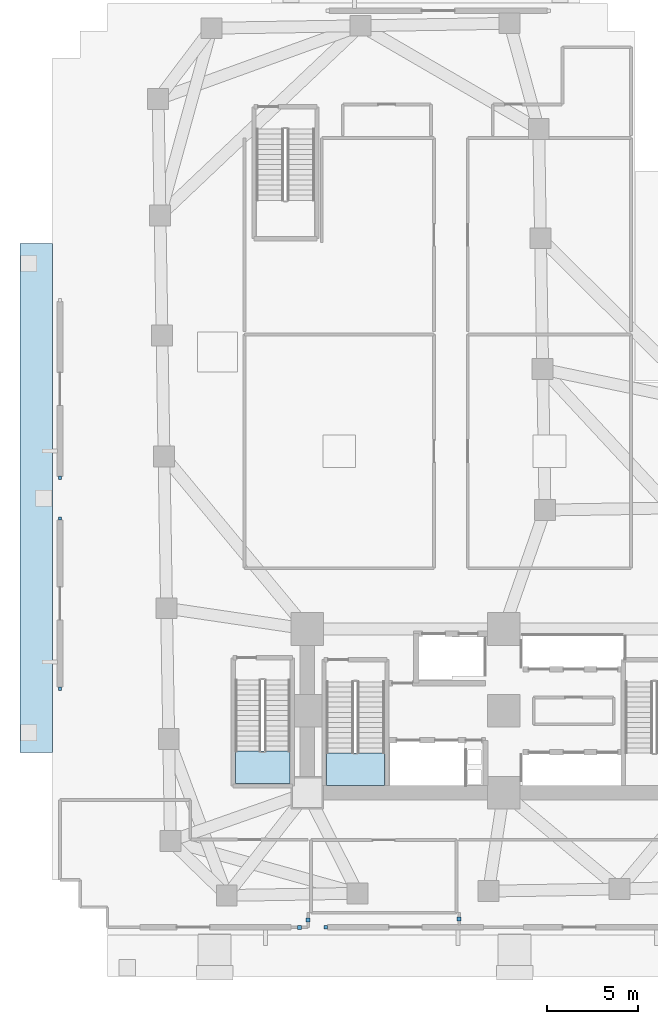
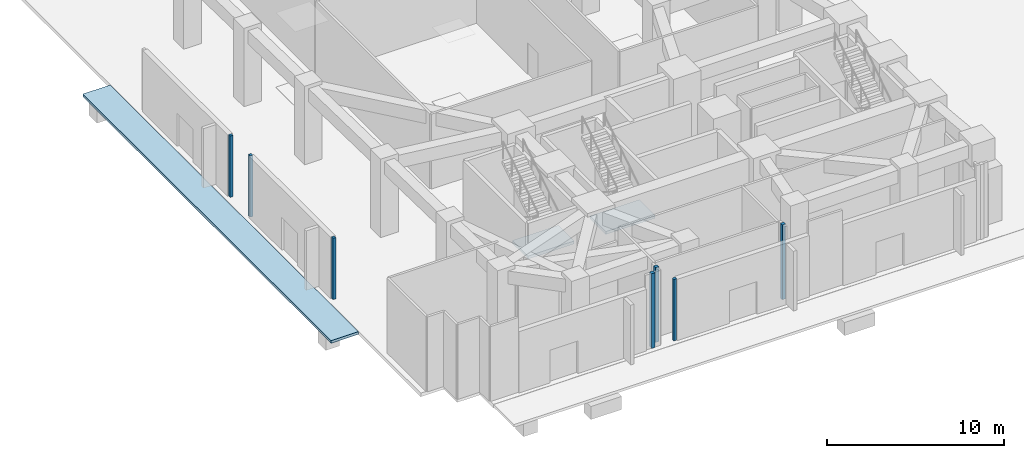
# One storey, part 5 of 19: 7 plates, 3 slabs, 2 elements without a shape of their own.
"""IFC4 building model written with IfcOpenShell, lengths in metres."""

from ifc_helpers import new_model, si_unit, direction, frame, origin, origin_2d, place, context, subcontext, project, spatial, polyline, rectangle, outline, extrude, material, layer, layer_set, type_object, element, aggregate, save


model = new_model("IFC4")

# Units and contexts
model_context = context("Model", 3, precision=1e-05, world=origin(), true_north=direction((0.0, 1.0)))
body_context = subcontext(model_context, "Body", "Model", "MODEL_VIEW")
ifc_project = project(units=[si_unit("LENGTHUNIT", "METRE"), si_unit("AREAUNIT", "SQUARE_METRE"), si_unit("VOLUMEUNIT", "CUBIC_METRE"), si_unit("PLANEANGLEUNIT", "RADIAN"), si_unit("MASSUNIT", "GRAM", prefix="KILO")], contexts=[model_context])

# Site, building, storey
site_placement = place(None, origin())
site = spatial("IfcSite", under=ifc_project, at=site_placement, CompositionType="ELEMENT")
building_placement = place(site_placement, origin())
building = spatial("IfcBuilding", under=site, at=building_placement, Name="Gaonmaruhae Medical Tower", CompositionType="ELEMENT")
storey_placement = place(building_placement, origin())
storey = spatial("IfcBuildingStorey", under=building, at=storey_placement, Name="L00", CompositionType="ELEMENT", Elevation=0.0)

# Plates
ifc_material_1 = material(Name="Anodised aluminium 6063-T6", Category="aluminium")
ifc_layer_1 = layer(ifc_material_1, 0.011962890625)
ifc_layer_set_1 = layer_set([ifc_layer_1], Name="Anodised aluminium 6063-T6")
plate_type = type_object("IfcPlateType", Name="PP-01 Interior Partition Corner Stiffener Plate", PredefinedType="SHEET", material=ifc_layer_set_1)
for number, where, z_axis, x_axis, name in (
    (1, (15.02001953125, 0.39990234375, 0.0), (0.0, 0.0, 1.0), (-1.0, 0.0, 0.0), "L00 Partition End Jamb Post Plate PLT-L00-ENDP-S2-1"),
    (2, (0.39990234375, 13.52001953125, 0.0), (0.0, 0.0, 1.0), (0.0, 1.0, 0.0), "L00 Partition End Jamb Post Plate PLT-L00-ENDP-W1-0"),
    (3, (0.39990234375, 22.8798828125, 0.0), (0.0, 0.0, 1.0), (0.0, 1.0, 0.0), "L00 Partition End Jamb Post Plate PLT-L00-ENDP-W1-1"),
    (4, (0.39990234375, 25.1201171875, 0.0), (0.0, 0.0, 1.0), (0.0, 1.0, 0.0), "L00 Partition End Jamb Post Plate PLT-L00-ENDP-W2-0"),
):
    element("IfcPlate", number, at=place(storey_placement, frame(where, z_axis=z_axis, x_axis=x_axis)), inside=storey, type_object=plate_type, Name=name, PredefinedType="SHEET", context=body_context, shape_type="SweptSolid", body=[
        extrude(rectangle(XDim=0.179931640625, YDim=0.179931640625, at=origin_2d()), origin(), (0.0, 0.0, 1.0), 4.22998046875),
    ])
for number, where, z_axis, x_axis, name in (
    (5, (14.050048828125, 0.800048828125, 0.0), (0.0, 0.0, 1.0), (0.0, -1.0, 0.0), "L00 Partition Corner Stiffener Plate PLT-L00-JGP-PW015"),
    (6, (13.574951171875, 0.39990234375, 0.0), (0.0, 0.0, 1.0), (-1.0, 0.0, 0.0), "L00 Partition Corner Stiffener Plate PLT-L00-JGP-PW016"),
    (7, (22.35009765625, 0.867431640625, 0.0), (0.0, 0.0, 1.0), (0.0, 1.0, 0.0), "L00 Partition Corner Stiffener Plate PLT-L00-JGP-PW022"),
):
    element("IfcPlate", number, at=place(storey_placement, frame(where, z_axis=z_axis, x_axis=x_axis)), inside=storey, type_object=plate_type, Name=name, PredefinedType="SHEET", context=body_context, shape_type="SweptSolid", body=[
        extrude(rectangle(XDim=0.219970703125, YDim=0.219970703125, at=origin_2d()), origin(), (0.0, 0.0, 1.0), 5.14990234375),
    ])

# Slab
ifc_material_2 = material(Name="Honed Busan granite paving", Category="masonry")
ifc_layer_2 = layer(ifc_material_2, 0.179931640625)
ifc_layer_set_2 = layer_set([ifc_layer_2], Name="Honed Busan granite paving")
slab_type_1 = type_object("IfcSlabType", Name="PV-180 Exterior Granite Plaza Paving Slab", PredefinedType="USERDEFINED", material=ifc_layer_set_2)
slab_1_placement = place(storey_placement, frame((0.0, 0.0, -0.179931640625)))
element("IfcSlab", 8, at=slab_1_placement, inside=storey, type_object=slab_type_1, Name="L00 West Pedestrian Exit Sidewalk Paving", ObjectType="PAVING", PredefinedType="USERDEFINED", context=body_context, shape_type="SweptSolid", body=[
    extrude(outline(polyline([(-1.800048828125, 10.0), (-1.800048828125, 38.0), (-0.02001953125, 38.0), (-0.02001953125, 10.0), (-1.800048828125, 10.0)])), origin(), (0.0, 0.0, 1.0), 0.179931640625),
])

# Stair, slab
ifc_material_3 = material(Name="Concrete C40/50", Category="concrete")
stair_type_1 = type_object("IfcStairType", Name="ST-T1 Primary Core Escape Dogleg Stair", PredefinedType="TWO_QUARTER_TURN_STAIR", material=ifc_material_3)
stair_1_placement = place(storey_placement, origin())
stair_1 = element("IfcStair", 9, at=stair_1_placement, inside=storey, type_object=stair_type_1, Name="L00 Protected Escape Stair ST-01", PredefinedType="TWO_QUARTER_TURN_STAIR")
ifc_layer_3 = layer(ifc_material_3, 0.199951171875)
ifc_layer_set_3 = layer_set([ifc_layer_3], Name="Concrete C40/50")
slab_type_2 = type_object("IfcSlabType", Name="SL-200 Stair & Ramp Intermediate Concrete Landing", PredefinedType="LANDING", material=ifc_layer_set_3)
slab_2_placement = place(storey_placement, frame((0.0, 0.0, 2.5)))
slab_2 = element("IfcSlab", 10, at=slab_2_placement, type_object=slab_type_2, Name="ST-01 landing 1", PredefinedType="LANDING", context=body_context, shape_type="SweptSolid", body=[
    extrude(outline(polyline([(15.050048828125, 9.97998046875), (15.050048828125, 8.2041015625), (18.25, 8.2041015625), (18.25, 9.97998046875), (15.050048828125, 9.97998046875)])), origin(), (0.0, 0.0, 1.0), 0.199951171875),
])
aggregate(stair_1, [slab_2])

stair_type_2 = type_object("IfcStairType", Name="ST-T2 Zone 1 Escape Dogleg Stair", PredefinedType="TWO_QUARTER_TURN_STAIR", material=ifc_material_3)
stair_2_placement = place(storey_placement, origin())
stair_2 = element("IfcStair", 11, at=stair_2_placement, inside=storey, type_object=stair_type_2, Name="L00 Protected Escape Stair ST-03", PredefinedType="TWO_QUARTER_TURN_STAIR")
slab_3_placement = place(storey_placement, frame((0.0, 0.0, 2.5)))
slab_3 = element("IfcSlab", 12, at=slab_3_placement, type_object=slab_type_2, Name="ST-03 landing 1", PredefinedType="LANDING", context=body_context, shape_type="SweptSolid", body=[
    extrude(outline(polyline([(10.050048828125, 10.080078125), (10.050048828125, 8.300048828125), (13.050048828125, 8.300048828125), (13.050048828125, 10.080078125), (10.050048828125, 10.080078125)])), origin(), (0.0, 0.0, 1.0), 0.199951171875),
])
aggregate(stair_2, [slab_3])

save(model, "model.ifc")
